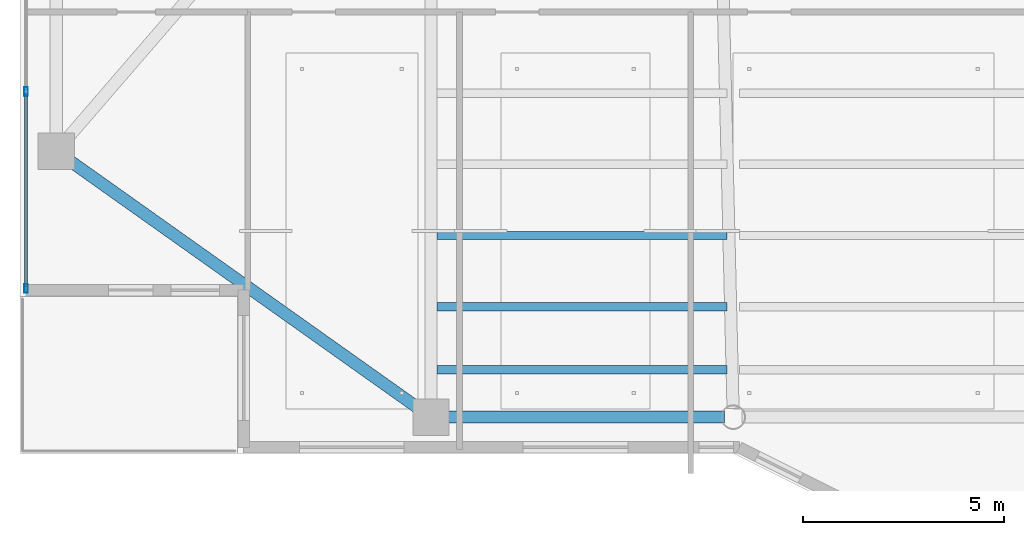
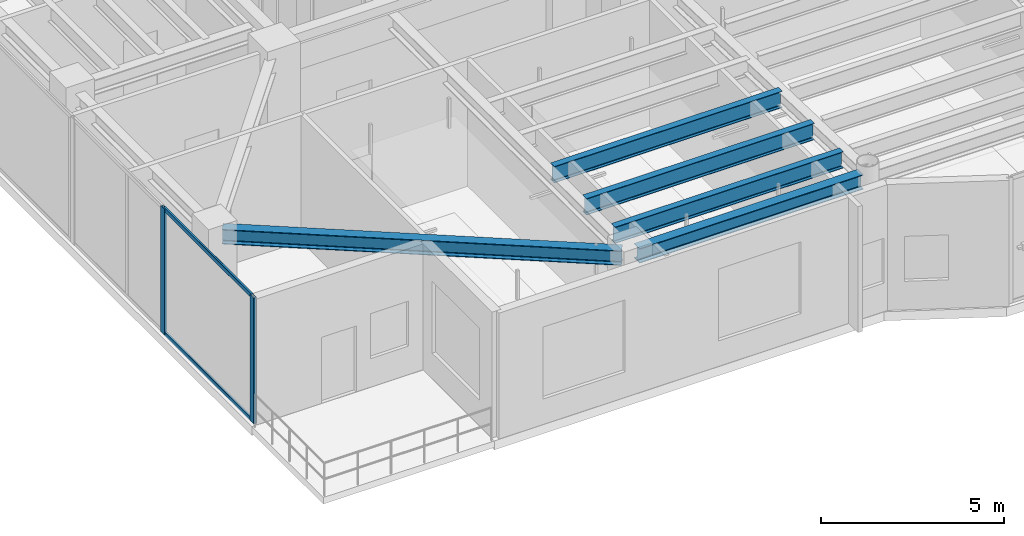
# One storey, part 2 of 33: 5 beams, 4 members, 1 element without a shape of its own.
"""IFC4 building model written with IfcOpenShell, lengths in metres."""

from ifc_helpers import new_model, si_unit, direction, frame, origin, origin_2d, place, context, subcontext, project, spatial, hollow_rectangle, i_section, extrude, material, layer, layer_set, material_profile, profile_set, type_object, element, aggregate, save


model = new_model("IFC4")

# Units and contexts
model_context = context("Model", 3, precision=1e-05, world=origin(), true_north=direction((0.0, 1.0)))
body_context = subcontext(model_context, "Body", "Model", "MODEL_VIEW")
ifc_project = project(units=[si_unit("LENGTHUNIT", "METRE"), si_unit("AREAUNIT", "SQUARE_METRE"), si_unit("VOLUMEUNIT", "CUBIC_METRE"), si_unit("PLANEANGLEUNIT", "RADIAN"), si_unit("MASSUNIT", "GRAM", prefix="KILO")], contexts=[model_context])

# Site, building, storey
site_placement = place(None, origin())
site = spatial("IfcSite", under=ifc_project, at=site_placement, CompositionType="ELEMENT")
building_placement = place(site_placement, origin())
building = spatial("IfcBuilding", under=site, at=building_placement, Name="Tarnavaz Court Tower", CompositionType="ELEMENT")
storey_placement = place(building_placement, frame((0.0, 0.0, 177.300048828125)))
storey = spatial("IfcBuildingStorey", under=building, at=storey_placement, Name="L48", CompositionType="ELEMENT", Elevation=177.300048828125)

# Beams
ifc_material_1 = material(Name="Steel S355", Category="steel")
ifc_material_profile_1 = material_profile(ifc_material_1, i_section(OverallWidth=0.2099609375, OverallDepth=0.550048828125, WebThickness=0.010986328125, FlangeThickness=0.01708984375, FilletRadius=0.02392578125, at=origin_2d()), Name="IPE 550")
ifc_profile_set_1 = profile_set([ifc_material_profile_1], Name="Steel S355")
beam_type_1 = type_object("IfcBeamType", Name="BM-J-IPE550", PredefinedType="JOIST", material=ifc_profile_set_1)
for number, where, z_axis, x_axis, name in (
    (1, (-14.85009765625, -15.89208984375, 3.925048828125), (1.0, 0.0, 0.0), (0.0, 1.0, 0.0), "L48 Beam JS3-1"),
    (2, (-14.85009765625, -17.656005859375, 3.925048828125), (1.0, 0.0, 0.0), (0.0, 1.0, 0.0), "L48 Beam JS4-1"),
    (3, (-14.85009765625, -19.22412109375, 3.925048828125), (1.0, 0.0, 0.0), (0.0, 1.0, 0.0), "L48 Beam JS5-1"),
):
    element("IfcBeam", number, at=place(storey_placement, frame(where, z_axis=z_axis, x_axis=x_axis)), inside=storey, type_object=beam_type_1, Name=name, PredefinedType="JOIST", context=body_context, shape_type="SweptSolid", body=[
        extrude(i_section(OverallWidth=0.2099609375, OverallDepth=0.550048828125, WebThickness=0.010986328125, FlangeThickness=0.01708984375, FilletRadius=0.02392578125, at=origin_2d()), origin(), (0.0, 0.0, 1.0), 7.2001953125),
    ])
ifc_material_profile_2 = material_profile(ifc_material_1, i_section(OverallWidth=0.300048828125, OverallDepth=0.489990234375, WebThickness=0.011962890625, FlangeThickness=0.02294921875, FilletRadius=0.027099609375, at=origin_2d()), Name="HEA 500")
ifc_profile_set_2 = profile_set([ifc_material_profile_2], Name="Steel S355")
beam_type_2 = type_object("IfcBeamType", Name="BM-SP-HEA500", PredefinedType="SPANDREL", material=ifc_profile_set_2)
beam_1_placement = place(storey_placement, frame((-14.780029296875, -20.39990234375, 3.954833984375), z_axis=(1.0, 0.0, 0.0), x_axis=(0.0, 1.0, 0.0)))
element("IfcBeam", 4, at=beam_1_placement, inside=storey, type_object=beam_type_2, Name="L48 Beam PR-PS-1-PS-2", PredefinedType="SPANDREL", context=body_context, shape_type="SweptSolid", body=[
    extrude(i_section(OverallWidth=0.300048828125, OverallDepth=0.489990234375, WebThickness=0.011962890625, FlangeThickness=0.02294921875, FilletRadius=0.027099609375, at=origin_2d()), origin(), (0.0, 0.0, 1.0), 7.06005859375),
])
beam_2_placement = place(storey_placement, frame((-15.179443359375, -20.272705078125, 3.954833984375), z_axis=(-0.815502059396, 0.57875417158, 0.0), x_axis=(-0.57875417158, -0.815502059396, 0.0)))
element("IfcBeam", 5, at=beam_2_placement, inside=storey, type_object=beam_type_2, Name="L48 Beam PR-PS-1-PW-1", PredefinedType="SPANDREL", context=body_context, shape_type="SweptSolid", body=[
    extrude(i_section(OverallWidth=0.300048828125, OverallDepth=0.489990234375, WebThickness=0.011962890625, FlangeThickness=0.02294921875, FilletRadius=0.027099609375, at=origin_2d()), origin(), (0.0, 0.0, 1.0), 10.964111328125),
])

# Curtain wall, members
ifc_material_2 = material(Name="Anodised Aluminium 6063-T6 and Solar Low-E Glazing", Category="aluminium")
ifc_layer = layer(ifc_material_2, 0.199951171875)
ifc_layer_set = layer_set([ifc_layer], Name="Anodised Aluminium 6063-T6 and Solar Low-E Glazing")
curtain_wall_type = type_object("IfcCurtainWallType", Name="CW-SYS-05", PredefinedType="NOTDEFINED", material=ifc_layer_set)
curtain_wall_placement = place(storey_placement, origin())
curtain_wall = element("IfcCurtainWall", 6, at=curtain_wall_placement, inside=storey, type_object=curtain_wall_type, Name="L48 Sky-Portal Curtain Wall 2", PredefinedType="NOTDEFINED")
ifc_material_3 = material(Name="Anodised Aluminium 6063-T6", Category="aluminium")
ifc_material_profile_3 = material_profile(ifc_material_3, hollow_rectangle(XDim=0.0849609375, YDim=0.219970703125, WallThickness=0.006103515625, InnerFilletRadius=0.006103515625, OuterFilletRadius=0.011962890625, at=origin_2d()), Name="ALU RHS 220X85X6")
ifc_profile_set_3 = profile_set([ifc_material_profile_3], Name="Anodised Aluminium 6063-T6")
member_type_1 = type_object("IfcMemberType", Name="CW-MUL-220", PredefinedType="MULLION", material=ifc_profile_set_3)
member_1_placement = place(storey_placement, frame((-25.050048828125, -17.20751953125, 0.0), z_axis=(0.0, 0.0, 1.0), x_axis=(-1.0, 0.0, 0.0)))
member_1 = element("IfcMember", 7, at=member_1_placement, type_object=member_type_1, Name="CW mullion 1", PredefinedType="MULLION", context=body_context, shape_type="SweptSolid", body=[
    extrude(hollow_rectangle(XDim=0.0849609375, YDim=0.219970703125, WallThickness=0.006103515625, InnerFilletRadius=0.006103515625, OuterFilletRadius=0.011962890625, at=origin_2d()), origin(), (0.0, 0.0, 1.0), 4.199951171875),
])
member_2_placement = place(storey_placement, frame((-25.050048828125, -12.321533203125, 0.0), z_axis=(0.0, 0.0, 1.0), x_axis=(-1.0, 0.0, 0.0)))
member_2 = element("IfcMember", 8, at=member_2_placement, type_object=member_type_1, Name="CW mullion 2", PredefinedType="MULLION", context=body_context, shape_type="SweptSolid", body=[
    extrude(hollow_rectangle(XDim=0.0849609375, YDim=0.219970703125, WallThickness=0.006103515625, InnerFilletRadius=0.006103515625, OuterFilletRadius=0.011962890625, at=origin_2d()), origin(), (0.0, 0.0, 1.0), 4.199951171875),
])
ifc_material_profile_4 = material_profile(ifc_material_3, hollow_rectangle(XDim=0.06494140625, YDim=0.139892578125, WallThickness=0.00390625, InnerFilletRadius=0.00390625, OuterFilletRadius=0.008056640625, at=origin_2d()), Name="ALU RHS 140X65X4")
ifc_profile_set_4 = profile_set([ifc_material_profile_4], Name="Anodised Aluminium 6063-T6")
member_type_2 = type_object("IfcMemberType", Name="CW-TRN-140", PredefinedType="USERDEFINED", material=ifc_profile_set_4)
member_3_placement = place(storey_placement, frame((-25.050048828125, -17.1650390625, 0.032470703125), z_axis=(0.0, 1.0, 0.0), x_axis=(-1.0, 0.0, 0.0)))
member_3 = element("IfcMember", 9, at=member_3_placement, type_object=member_type_2, Name="CW transom 1.1", ObjectType="TRANSOM", PredefinedType="USERDEFINED", context=body_context, shape_type="SweptSolid", body=[
    extrude(hollow_rectangle(XDim=0.06494140625, YDim=0.139892578125, WallThickness=0.00390625, InnerFilletRadius=0.00390625, OuterFilletRadius=0.008056640625, at=origin_2d()), origin(), (0.0, 0.0, 1.0), 4.801025390625),
])
member_4_placement = place(storey_placement, frame((-25.050048828125, -17.1650390625, 4.16748046875), z_axis=(0.0, 1.0, 0.0), x_axis=(-1.0, 0.0, 0.0)))
member_4 = element("IfcMember", 10, at=member_4_placement, type_object=member_type_2, Name="CW transom 1.2", ObjectType="TRANSOM", PredefinedType="USERDEFINED", context=body_context, shape_type="SweptSolid", body=[
    extrude(hollow_rectangle(XDim=0.06494140625, YDim=0.139892578125, WallThickness=0.00390625, InnerFilletRadius=0.00390625, OuterFilletRadius=0.008056640625, at=origin_2d()), origin(), (0.0, 0.0, 1.0), 4.801025390625),
])
aggregate(curtain_wall, [member_1, member_2, member_3, member_4])

save(model, "model.ifc")
